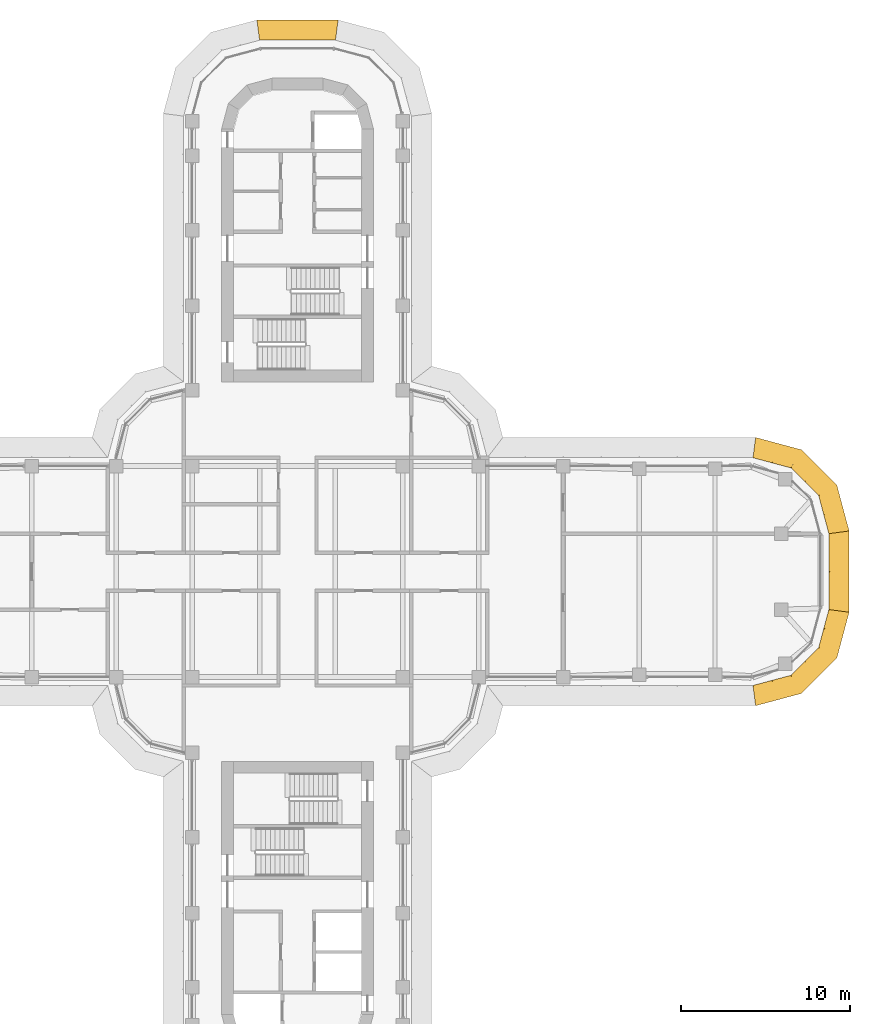
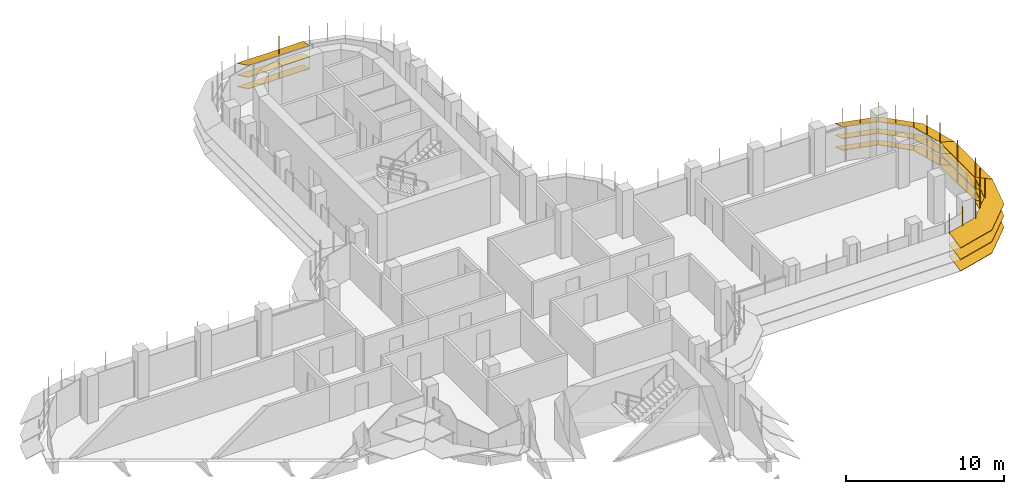
# One storey, part 20 of 20: 4 shading devices.
"""IFC4 building model written with IfcOpenShell, lengths in metres."""

from ifc_helpers import new_model, si_unit, direction, frame, origin, place, context, subcontext, project, spatial, polyline, outline, extrude, faceted_brep, source, transform, mapped, material, type_object, element, save


model = new_model("IFC4")

# Units and contexts
model_context = context("Model", 3, precision=1e-05, world=origin(), true_north=direction((0.0, 1.0)))
body_context = subcontext(model_context, "Body", "Model", "MODEL_VIEW")
ifc_project = project(units=[si_unit("LENGTHUNIT", "METRE"), si_unit("AREAUNIT", "SQUARE_METRE"), si_unit("VOLUMEUNIT", "CUBIC_METRE"), si_unit("PLANEANGLEUNIT", "RADIAN"), si_unit("MASSUNIT", "GRAM", prefix="KILO")], contexts=[model_context])

# Site, building, storey
site_placement = place(None, origin())
site = spatial("IfcSite", under=ifc_project, at=site_placement, CompositionType="ELEMENT")
building_placement = place(site_placement, origin())
building = spatial("IfcBuilding", under=site, at=building_placement, Name="Zarbagh Exchange Tower", CompositionType="ELEMENT")
storey_placement = place(building_placement, frame((0.0, 0.0, 156.199951171875)))
storey = spatial("IfcBuildingStorey", under=building, at=storey_placement, Name="L37", CompositionType="ELEMENT", Elevation=156.199951171875)

# Shading devices
ifc_material = material(Name="Anodised aluminium blades and brackets", Category="aluminium")
shading_device_type = type_object("IfcShadingDeviceType", Name="SUNSHADE louvre band, 22.5 degree blades", PredefinedType="JALOUSIE", material=ifc_material)
shared_shape_1 = source(origin(), body_context, "Body", "Brep", [
    faceted_brep([(0.0, 0.0, 0.0), (0.0, 0.0, -0.043212890625), (-0.157958984375, -1.199951171875, -0.540283203125), (-0.157958984375, -1.199951171875, -0.4970703125), (2.65087890625, -1.199951171875, -0.4970703125), (2.65087890625, -1.199951171875, -0.540283203125), (2.329345703125, 0.0, -0.043212890625), (2.329345703125, 0.0, 0.0)], [[[0, 1, 2, 3]], [[4, 5, 6, 7]], [[0, 7, 6, 1]], [[1, 6, 5, 2]], [[2, 5, 4, 3]], [[3, 4, 7, 0]]]),
])
shared_shape_2 = source(origin(), body_context, "Body", "Brep", [
    faceted_brep([(0.0, 0.0, 0.0), (0.0, 0.0, -0.043212890625), (-0.321533203125, -1.199951171875, -0.540283203125), (-0.321533203125, -1.199951171875, -0.4970703125), (2.65087890625, -1.199951171875, -0.4970703125), (2.65087890625, -1.199951171875, -0.540283203125), (2.329345703125, 0.0, -0.043212890625), (2.329345703125, 0.0, 0.0)], [[[0, 1, 2, 3]], [[4, 5, 6, 7]], [[0, 7, 6, 1]], [[1, 6, 5, 2]], [[2, 5, 4, 3]], [[3, 4, 7, 0]]]),
])
shared_shape_3 = source(origin(), body_context, "Body", "Brep", [
    faceted_brep([(0.0, 0.0, 0.0), (0.0, 0.0, -0.043212890625), (-0.321533203125, -1.199951171875, -0.540283203125), (-0.321533203125, -1.199951171875, -0.4970703125), (2.4873046875, -1.199951171875, -0.4970703125), (2.4873046875, -1.199951171875, -0.540283203125), (2.329345703125, 0.0, -0.043212890625), (2.329345703125, 0.0, 0.0)], [[[0, 1, 2, 3]], [[4, 5, 6, 7]], [[0, 7, 6, 1]], [[1, 6, 5, 2]], [[2, 5, 4, 3]], [[3, 4, 7, 0]]]),
])
shared_shape_4 = source(origin(), body_context, "Body", "SweptSolid", [
    extrude(outline(polyline([(0.0, -0.012451171875), (0.06005859375, -0.012451171875), (0.06005859375, 0.012451171875), (0.0, 0.012451171875), (0.0, -0.012451171875)])), origin(), (0.0, 0.0, 1.0), 3.353271484375),
])
placement = place(storey_placement, origin())
element("IfcShadingDevice", 1, at=placement, inside=storey, type_object=shading_device_type, Name="SS31 sunshade band", PredefinedType="JALOUSIE", context=body_context, shape_type="MappedRepresentation", body=[
    mapped(shared_shape_1, transform((27.0, -6.75, 2.300048828125), x_axis=(0.965924289636, 0.258824779902, 0.0), y_axis=(-0.258824779902, 0.965924289636, 0.0), z_axis=(0.0, 0.0, 1.0))),
    mapped(shared_shape_1, transform((27.0, -6.75, 1.400146484375), x_axis=(0.965924289636, 0.258824779902, 0.0), y_axis=(-0.258824779902, 0.965924289636, 0.0), z_axis=(0.0, 0.0, 1.0))),
    mapped(shared_shape_1, transform((27.0, -6.75, 0.5), x_axis=(0.965924289636, 0.258824779902, 0.0), y_axis=(-0.258824779902, 0.965924289636, 0.0), z_axis=(0.0, 0.0, 1.0))),
    mapped(shared_shape_2, transform((29.25, -6.147216796875, 2.300048828125), x_axis=(0.707106781187, 0.707106781187, 0.0), y_axis=(-0.707106781187, 0.707106781187, 0.0), z_axis=(0.0, 0.0, 1.0))),
    mapped(shared_shape_2, transform((29.25, -6.147216796875, 1.400146484375), x_axis=(0.707106781187, 0.707106781187, 0.0), y_axis=(-0.707106781187, 0.707106781187, 0.0), z_axis=(0.0, 0.0, 1.0))),
    mapped(shared_shape_2, transform((29.25, -6.147216796875, 0.5), x_axis=(0.707106781187, 0.707106781187, 0.0), y_axis=(-0.707106781187, 0.707106781187, 0.0), z_axis=(0.0, 0.0, 1.0))),
    mapped(shared_shape_3, transform((30.897216796875, -4.5, 2.300048828125), x_axis=(0.258824779902, 0.965924289636, 0.0), y_axis=(-0.965924289636, 0.258824779902, 0.0), z_axis=(0.0, 0.0, 1.0))),
    mapped(shared_shape_3, transform((30.897216796875, -4.5, 1.400146484375), x_axis=(0.258824779902, 0.965924289636, 0.0), y_axis=(-0.965924289636, 0.258824779902, 0.0), z_axis=(0.0, 0.0, 1.0))),
    mapped(shared_shape_3, transform((30.897216796875, -4.5, 0.5), x_axis=(0.258824779902, 0.965924289636, 0.0), y_axis=(-0.965924289636, 0.258824779902, 0.0), z_axis=(0.0, 0.0, 1.0))),
    mapped(shared_shape_4, transform((27.0, -6.75, 0.4267578125), x_axis=(0.130529263012, -0.991444457092, 0.0), y_axis=(0.991444457092, 0.130529263012, 0.0), z_axis=(0.0, 0.0, 1.0))),
    mapped(shared_shape_4, transform((28.125, -6.448486328125, 0.4267578125), x_axis=(0.258825058029, -0.96592421511, 0.0), y_axis=(0.96592421511, 0.258825058029, 0.0), z_axis=(0.0, 0.0, 1.0))),
    mapped(shared_shape_4, transform((29.25, -6.147216796875, 0.4267578125), x_axis=(0.50000275701, -0.866023812018, 0.0), y_axis=(0.866023812018, 0.50000275701, 0.0), z_axis=(0.0, 0.0, 1.0))),
    mapped(shared_shape_4, transform((30.073486328125, -5.323486328125, 0.4267578125), x_axis=(0.707106781187, -0.707106781187, 0.0), y_axis=(0.707106781187, 0.707106781187, 0.0), z_axis=(0.0, 0.0, 1.0))),
    mapped(shared_shape_4, transform((30.897216796875, -4.5, 0.4267578125), x_axis=(0.866023812018, -0.50000275701, 0.0), y_axis=(0.50000275701, 0.866023812018, 0.0), z_axis=(0.0, 0.0, 1.0))),
    mapped(shared_shape_4, transform((31.198486328125, -3.375, 0.4267578125), x_axis=(0.96592421511, -0.258825058029, 0.0), y_axis=(0.258825058029, 0.96592421511, 0.0), z_axis=(0.0, 0.0, 1.0))),
])
element("IfcShadingDevice", 2, at=placement, inside=storey, type_object=shading_device_type, Name="SS33 sunshade band", PredefinedType="JALOUSIE", context=body_context, shape_type="MappedRepresentation", body=[
    mapped(shared_shape_1, transform((31.5, 2.25, 2.300048828125), x_axis=(-0.258824779902, 0.965924289636, 0.0), y_axis=(-0.965924289636, -0.258824779902, 0.0), z_axis=(0.0, 0.0, 1.0))),
    mapped(shared_shape_1, transform((31.5, 2.25, 1.400146484375), x_axis=(-0.258824779902, 0.965924289636, 0.0), y_axis=(-0.965924289636, -0.258824779902, 0.0), z_axis=(0.0, 0.0, 1.0))),
    mapped(shared_shape_1, transform((31.5, 2.25, 0.5), x_axis=(-0.258824779902, 0.965924289636, 0.0), y_axis=(-0.965924289636, -0.258824779902, 0.0), z_axis=(0.0, 0.0, 1.0))),
    mapped(shared_shape_2, transform((30.897216796875, 4.5, 2.300048828125), x_axis=(-0.707106781187, 0.707106781187, 0.0), y_axis=(-0.707106781187, -0.707106781187, 0.0), z_axis=(0.0, 0.0, 1.0))),
    mapped(shared_shape_2, transform((30.897216796875, 4.5, 1.400146484375), x_axis=(-0.707106781187, 0.707106781187, 0.0), y_axis=(-0.707106781187, -0.707106781187, 0.0), z_axis=(0.0, 0.0, 1.0))),
    mapped(shared_shape_2, transform((30.897216796875, 4.5, 0.5), x_axis=(-0.707106781187, 0.707106781187, 0.0), y_axis=(-0.707106781187, -0.707106781187, 0.0), z_axis=(0.0, 0.0, 1.0))),
    mapped(shared_shape_3, transform((29.25, 6.147216796875, 2.300048828125), x_axis=(-0.965924289636, 0.258824779902, 0.0), y_axis=(-0.258824779902, -0.965924289636, 0.0), z_axis=(0.0, 0.0, 1.0))),
    mapped(shared_shape_3, transform((29.25, 6.147216796875, 1.400146484375), x_axis=(-0.965924289636, 0.258824779902, 0.0), y_axis=(-0.258824779902, -0.965924289636, 0.0), z_axis=(0.0, 0.0, 1.0))),
    mapped(shared_shape_3, transform((29.25, 6.147216796875, 0.5), x_axis=(-0.965924289636, 0.258824779902, 0.0), y_axis=(-0.258824779902, -0.965924289636, 0.0), z_axis=(0.0, 0.0, 1.0))),
    mapped(shared_shape_4, transform((31.5, 2.25, 0.4267578125), x_axis=(0.991444457092, 0.130529263012, 0.0), y_axis=(-0.130529263012, 0.991444457092, 0.0), z_axis=(0.0, 0.0, 1.0))),
    mapped(shared_shape_4, transform((31.198486328125, 3.375, 0.4267578125), x_axis=(0.96592421511, 0.258825058029, 0.0), y_axis=(-0.258825058029, 0.96592421511, 0.0), z_axis=(0.0, 0.0, 1.0))),
    mapped(shared_shape_4, transform((30.897216796875, 4.5, 0.4267578125), x_axis=(0.866023812018, 0.50000275701, 0.0), y_axis=(-0.50000275701, 0.866023812018, 0.0), z_axis=(0.0, 0.0, 1.0))),
    mapped(shared_shape_4, transform((30.073486328125, 5.323486328125, 0.4267578125), x_axis=(0.707106781187, 0.707106781187, 0.0), y_axis=(-0.707106781187, 0.707106781187, 0.0), z_axis=(0.0, 0.0, 1.0))),
    mapped(shared_shape_4, transform((29.25, 6.147216796875, 0.4267578125), x_axis=(0.50000275701, 0.866023812018, 0.0), y_axis=(-0.866023812018, 0.50000275701, 0.0), z_axis=(0.0, 0.0, 1.0))),
    mapped(shared_shape_4, transform((28.125, 6.448486328125, 0.4267578125), x_axis=(0.258825058029, 0.96592421511, 0.0), y_axis=(-0.96592421511, 0.258825058029, 0.0), z_axis=(0.0, 0.0, 1.0))),
])
shared_shape_5 = source(origin(), body_context, "Body", "Brep", [
    faceted_brep([(0.0, 0.0, 0.0), (0.0, 0.0, -0.043212890625), (-0.157958984375, -1.199951171875, -0.540283203125), (-0.157958984375, -1.199951171875, -0.4970703125), (4.657958984375, -1.199951171875, -0.4970703125), (4.657958984375, -1.199951171875, -0.540283203125), (4.5, 0.0, -0.043212890625), (4.5, 0.0, 0.0)], [[[0, 1, 2, 3]], [[4, 5, 6, 7]], [[0, 7, 6, 1]], [[1, 6, 5, 2]], [[2, 5, 4, 3]], [[3, 4, 7, 0]]]),
])
element("IfcShadingDevice", 3, at=placement, inside=storey, type_object=shading_device_type, Name="SS32 sunshade band", PredefinedType="JALOUSIE", context=body_context, shape_type="MappedRepresentation", body=[
    mapped(shared_shape_5, transform((31.5, -2.25, 2.300048828125), x_axis=(0.0, 1.0, 0.0), y_axis=(-1.0, 0.0, 0.0), z_axis=(0.0, 0.0, 1.0))),
    mapped(shared_shape_5, transform((31.5, -2.25, 1.400146484375), x_axis=(0.0, 1.0, 0.0), y_axis=(-1.0, 0.0, 0.0), z_axis=(0.0, 0.0, 1.0))),
    mapped(shared_shape_5, transform((31.5, -2.25, 0.5), x_axis=(0.0, 1.0, 0.0), y_axis=(-1.0, 0.0, 0.0), z_axis=(0.0, 0.0, 1.0))),
    mapped(shared_shape_4, transform((31.5, -2.25, 0.4267578125), x_axis=(0.991444457092, -0.130529263012, 0.0), y_axis=(0.130529263012, 0.991444457092, 0.0), z_axis=(0.0, 0.0, 1.0))),
    mapped(shared_shape_4, transform((31.5, 0.0, 0.4267578125), x_axis=(1.0, 0.0, 0.0), y_axis=(0.0, 1.0, 0.0), z_axis=(0.0, 0.0, 1.0))),
])
element("IfcShadingDevice", 4, at=placement, inside=storey, type_object=shading_device_type, Name="SS27 sunshade band", PredefinedType="JALOUSIE", context=body_context, shape_type="MappedRepresentation", body=[
    mapped(shared_shape_5, transform((2.25, 31.5, 2.300048828125), x_axis=(-1.0, 0.0, 0.0), y_axis=(0.0, -1.0, 0.0), z_axis=(0.0, 0.0, 1.0))),
    mapped(shared_shape_5, transform((2.25, 31.5, 1.400146484375), x_axis=(-1.0, 0.0, 0.0), y_axis=(0.0, -1.0, 0.0), z_axis=(0.0, 0.0, 1.0))),
    mapped(shared_shape_5, transform((2.25, 31.5, 0.5), x_axis=(-1.0, 0.0, 0.0), y_axis=(0.0, -1.0, 0.0), z_axis=(0.0, 0.0, 1.0))),
    mapped(shared_shape_4, transform((2.25, 31.5, 0.4267578125), x_axis=(0.130529263012, 0.991444457092, 0.0), y_axis=(-0.991444457092, 0.130529263012, 0.0), z_axis=(0.0, 0.0, 1.0))),
    mapped(shared_shape_4, transform((0.0, 31.5, 0.4267578125), x_axis=(0.0, 1.0, 0.0), y_axis=(-1.0, 0.0, 0.0), z_axis=(0.0, 0.0, 1.0))),
])

save(model, "model.ifc")
